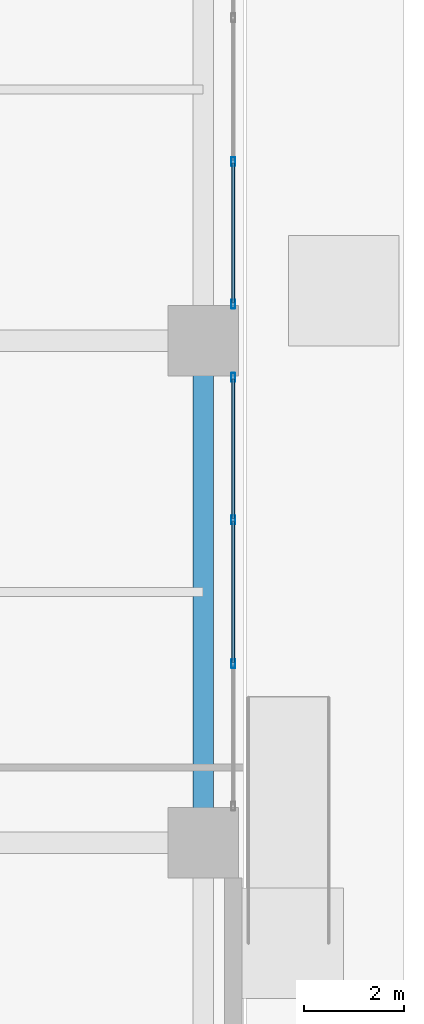
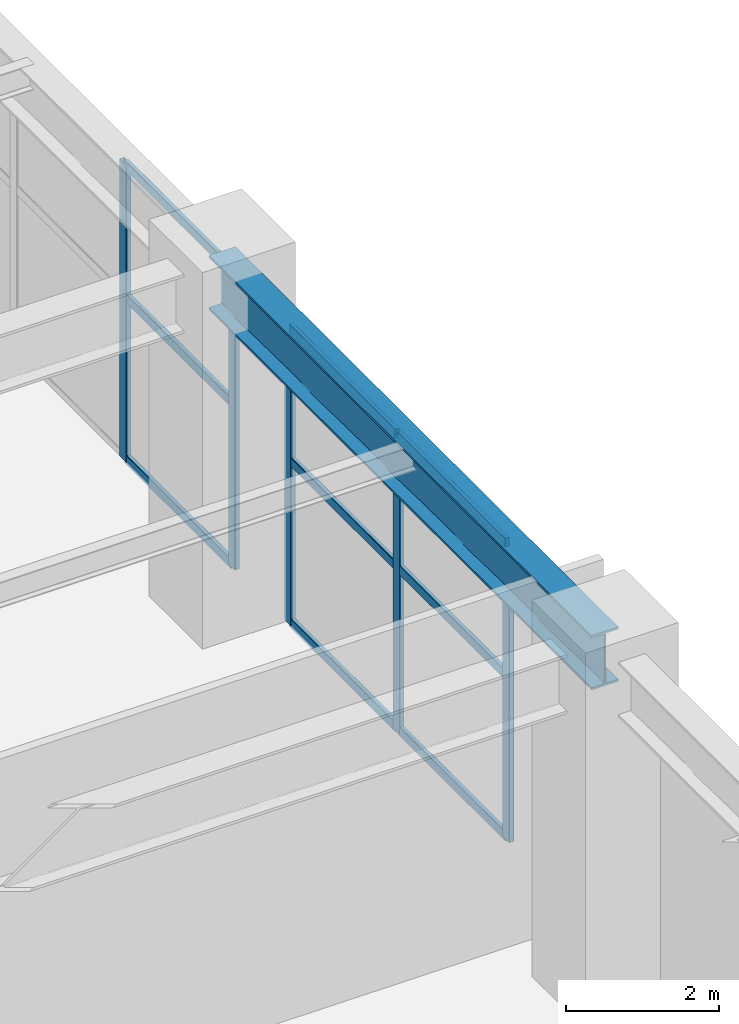
# One storey, part 15 of 31: 14 members, 1 beam, 2 elements without a shape of their own.
"""IFC4 building model written with IfcOpenShell, lengths in metres."""

import ifcopenshell
import ifcopenshell.guid

model = None  # the IFC model being written
_history = None  # IfcOwnerHistory: only IFC2X3 demands one
_inside = {}  # id of a spatial element -> (the spatial element, [elements in it])
_under = {}  # id of a project, library or spatial element -> (it, [spatial elements below it])
_declared = {}  # id of a project -> (the project, [libraries it declares])
_typed = {}  # id of a type object -> (the type object, [elements of that type])
_made_of = {}  # id of a material, layer set ... -> (it, [elements and type objects made of it])


def new_model(schema):
    """Start an empty IFC model of exactly this schema.

    Asked for "IFC4X3", IfcOpenShell would pick the latest addendum, in which some entities
    have other attributes; the version numbers below select the first issue.
    IFC2X3 requires an IfcOwnerHistory on every rooted entity: one is made here for all.
    """
    global model, _history
    if schema == "IFC4X3":
        model = ifcopenshell.file(schema_version=(4, 3, 0, 0))
    else:
        model = ifcopenshell.file(schema=schema)
    _inside.clear()
    _under.clear()
    _declared.clear()
    _typed.clear()
    _made_of.clear()
    _history = None
    if model.schema == "IFC2X3":
        org = make("IfcOrganization", Name="unknown")
        user = make(
            "IfcPersonAndOrganization",
            ThePerson=make("IfcPerson", FamilyName="unknown"),
            TheOrganization=org,
        )
        app = make(
            "IfcApplication",
            ApplicationDeveloper=org,
            Version="unknown",
            ApplicationFullName="unknown",
            ApplicationIdentifier="unknown",
        )
        _history = make(
            "IfcOwnerHistory",
            OwningUser=user,
            OwningApplication=app,
            ChangeAction="ADDED",
            CreationDate=0,
        )
    return model


def make(cls, **values):
    """One entity of the class cls with the attributes given. An attribute that is None is left unset."""
    return model.create_entity(
        cls, **{name: value for name, value in values.items() if value is not None}
    )


def rooted(cls, **values):
    """An entity with a GlobalId (a new one), such as an element, a storey or a relation."""
    return make(cls, GlobalId=ifcopenshell.guid.new(), OwnerHistory=_history, **values)


def si_unit(unit_type, name, prefix=None):
    """IfcSIUnit, for example si_unit("LENGTHUNIT", "METRE", prefix="MILLI")."""
    return make("IfcSIUnit", UnitType=unit_type, Prefix=prefix, Name=name)


def assignment(units):
    """IfcUnitAssignment: the units of a project."""
    return None if units is None else make("IfcUnitAssignment", Units=units)


def point(xyz):
    """IfcCartesianPoint."""
    return None if xyz is None else make("IfcCartesianPoint", Coordinates=xyz)


def direction(xyz):
    """IfcDirection."""
    return None if xyz is None else make("IfcDirection", DirectionRatios=xyz)


def frame(location, z_axis=None, x_axis=None):
    """IfcAxis2Placement3D, a coordinate frame: its origin and axes. An axis left out is left unset."""
    return make(
        "IfcAxis2Placement3D",
        Location=point(location),
        Axis=direction(z_axis),
        RefDirection=direction(x_axis),
    )


def frame_2d(location, x_axis=None):
    """IfcAxis2Placement2D, a coordinate frame in the plane: its origin and x axis."""
    return make(
        "IfcAxis2Placement2D", Location=point(location), RefDirection=direction(x_axis)
    )


def origin():
    """The frame at (0, 0, 0) with its axes left unset."""
    return frame((0.0, 0.0, 0.0))


def origin_2d():
    """The frame at (0, 0) in the plane with its x axis left unset."""
    return frame_2d((0.0, 0.0))


def place(relative_to, where):
    """IfcLocalPlacement: puts the frame where relative to a parent placement (None: the world)."""
    return make(
        "IfcLocalPlacement", PlacementRelTo=relative_to, RelativePlacement=where
    )


def context(
    kind, dimensions, precision=None, world=None, true_north=None, identifier=None
):
    """IfcGeometricRepresentationContext, for example the 3D "Model" context."""
    return make(
        "IfcGeometricRepresentationContext",
        ContextIdentifier=identifier,
        ContextType=kind,
        CoordinateSpaceDimension=dimensions,
        Precision=precision,
        WorldCoordinateSystem=world,
        TrueNorth=true_north,
    )


def subcontext(parent, identifier, kind, view, scale=None):
    """IfcGeometricRepresentationSubContext, for example "Body" below "Model"."""
    return make(
        "IfcGeometricRepresentationSubContext",
        ContextIdentifier=identifier,
        ContextType=kind,
        ParentContext=parent,
        TargetScale=scale,
        TargetView=view,
    )


def project(units=None, contexts=None):
    """IfcProject with its units and contexts."""
    return rooted(
        "IfcProject",
        Name="project",
        RepresentationContexts=contexts,
        UnitsInContext=assignment(units),
    )


def spatial(cls, under=None, at=None, **own):
    """A site, building, storey or space (cls), placed at a placement, below another one or the project."""
    s = rooted(cls, ObjectPlacement=at, **own)
    if under is not None:
        _under.setdefault(under.id(), (under, []))[1].append(s)
    return s


def profile(cls, at=None, kind="AREA", **sizes):
    """A parametric profile (cls). Its sizes go by their IFC names, for example OverallWidth=200.0."""
    return make(cls, ProfileType=kind, Position=at, **sizes)


def hollow_rectangle(**sizes):
    """IfcRectangleHollowProfileDef."""
    return profile("IfcRectangleHollowProfileDef", **sizes)


def i_section(**sizes):
    """IfcIShapeProfileDef."""
    return profile("IfcIShapeProfileDef", **sizes)


def extrude(swept, where, along, depth):
    """IfcExtrudedAreaSolid: the profile swept, set in the frame where, extruded along a direction by depth."""
    return make(
        "IfcExtrudedAreaSolid",
        SweptArea=swept,
        Position=where,
        ExtrudedDirection=direction(along),
        Depth=depth,
    )


def shape(context_of_items, identifier, shape_type, items):
    """IfcShapeRepresentation: the items that make up one representation, for example the "Body"."""
    return make(
        "IfcShapeRepresentation",
        ContextOfItems=context_of_items,
        RepresentationIdentifier=identifier,
        RepresentationType=shape_type,
        Items=items,
    )


def material(Name=None, Category=None):
    """IfcMaterial."""
    return make("IfcMaterial", Name=Name, Category=Category)


def layer(
    of_material, thickness, ventilated=None, Name=None, Category=None, Priority=None
):
    """IfcMaterialLayer: one layer of a wall or slab, of a material (None: an air gap)."""
    return make(
        "IfcMaterialLayer",
        Material=of_material,
        LayerThickness=thickness,
        IsVentilated=ventilated,
        Name=Name,
        Category=Category,
        Priority=Priority,
    )


def layer_set(layers, Name=None):
    """IfcMaterialLayerSet."""
    return make("IfcMaterialLayerSet", MaterialLayers=layers, LayerSetName=Name)


def material_profile(
    of_material, cross_section, Name=None, Category=None, Priority=None
):
    """IfcMaterialProfile: a cross section and its material."""
    return make(
        "IfcMaterialProfile",
        Name=Name,
        Material=of_material,
        Profile=cross_section,
        Priority=Priority,
        Category=Category,
    )


def profile_set(profiles, Name=None, composite=None):
    """IfcMaterialProfileSet."""
    return make(
        "IfcMaterialProfileSet",
        Name=Name,
        MaterialProfiles=profiles,
        CompositeProfile=composite,
    )


def made_of(thing, what):
    """Note that an element or type object is made of a material, layer set ...; save() writes the relation."""
    if what is not None:
        _made_of.setdefault(what.id(), (what, []))[1].append(thing)
    return thing


def type_object(cls, material=None, **own):
    """A type object (cls), such as IfcWallType, which elements share."""
    return made_of(rooted(cls, **own), material)


def element(
    cls,
    number,
    at=None,
    inside=None,
    cuts=None,
    type_object=None,
    material=None,
    context=None,
    identifier="Body",
    shape_type=None,
    held_by="IfcProductDefinitionShape",
    body=None,
    shapes=None,
    **own,
):
    """One element of the class cls, such as IfcWall. Its Tag is "e" and its number.

    at: its placement. inside: the storey or other place that contains it. cuts: it is an
    opening in that element (IfcRelVoidsElement). A single representation is given by context,
    identifier, shape_type and body (its items); several are given by shapes. held_by: the class
    of the entity that holds the representations. save() writes the other relations.
    """
    e = rooted(cls, Tag="e%d" % number, ObjectPlacement=at, **own)
    if body is not None:
        shapes = [shape(context, identifier, shape_type, body)]
    if shapes is not None:
        e.Representation = make(held_by, Representations=shapes)
    if inside is not None:
        _inside.setdefault(inside.id(), (inside, []))[1].append(e)
    if cuts is not None:
        rooted(
            "IfcRelVoidsElement", RelatingBuildingElement=cuts, RelatedOpeningElement=e
        )
    if type_object is not None:
        _typed.setdefault(type_object.id(), (type_object, []))[1].append(e)
    return made_of(e, material)


def aggregate(whole, parts):
    """IfcRelAggregates: a whole, such as a stair, and the parts it consists of."""
    return rooted("IfcRelAggregates", RelatingObject=whole, RelatedObjects=parts)


def save(model, path):
    """Write the relations noted so far, then the file.

    IfcRelAggregates (storeys below a building ...), IfcRelContainedInSpatialStructure (elements
    in a storey), IfcRelDefinesByType, IfcRelAssociatesMaterial and IfcRelDeclares: one each for
    every whole, place, type object, material and project.
    """
    for whole, parts in _under.values():
        aggregate(whole, parts)
    for where, things in _inside.values():
        rooted(
            "IfcRelContainedInSpatialStructure",
            RelatedElements=things,
            RelatingStructure=where,
        )
    for kind, things in _typed.values():
        rooted("IfcRelDefinesByType", RelatedObjects=things, RelatingType=kind)
    for what, things in _made_of.values():
        rooted("IfcRelAssociatesMaterial", RelatedObjects=things, RelatingMaterial=what)
    for by, libraries in _declared.values():
        rooted("IfcRelDeclares", RelatingContext=by, RelatedDefinitions=libraries)
    model.write(path)


model = new_model("IFC4")

# Units and contexts
model_context = context("Model", 3, precision=1e-05, world=origin(), true_north=direction((0.0, 1.0)))
body_context = subcontext(model_context, "Body", "Model", "MODEL_VIEW")
ifc_project = project(units=[si_unit("LENGTHUNIT", "METRE"), si_unit("AREAUNIT", "SQUARE_METRE"), si_unit("VOLUMEUNIT", "CUBIC_METRE"), si_unit("PLANEANGLEUNIT", "RADIAN"), si_unit("MASSUNIT", "GRAM", prefix="KILO")], contexts=[model_context])

# Site, building, storey
site_placement = place(None, origin())
site = spatial("IfcSite", under=ifc_project, at=site_placement, CompositionType="ELEMENT")
building_placement = place(site_placement, origin())
building = spatial("IfcBuilding", under=site, at=building_placement, Name="Soratama Intermodal Tower", CompositionType="ELEMENT")
storey_placement = place(building_placement, origin())
storey = spatial("IfcBuildingStorey", under=building, at=storey_placement, Name="L00", CompositionType="ELEMENT", Elevation=0.0)

# Beam
ifc_material_1 = material(Name="Structural steel ASTM A992 Grade 50", Category="steel")
ifc_material_profile_1 = material_profile(ifc_material_1, i_section(OverallWidth=0.403076171875, OverallDepth=0.867919921875, WebThickness=0.02099609375, FlangeThickness=0.03564453125, FilletRadius=0.01806640625, at=origin_2d()), Name="W33X241")
ifc_profile_set_1 = profile_set([ifc_material_profile_1], Name="Structural steel ASTM A992 Grade 50")
beam_type = type_object("IfcBeamType", Name="BM-POD-EXT-W33", PredefinedType="BEAM", material=ifc_profile_set_1)
beam_placement = place(storey_placement, frame((83.199951171875, 15.0, 5.24609375), z_axis=(0.0, 1.0, 0.0), x_axis=(-1.0, 0.0, 0.0)))
element("IfcBeam", 1, at=beam_placement, inside=storey, type_object=beam_type, Name="L00 Station Girder Y4-2", PredefinedType="BEAM", context=body_context, shape_type="SweptSolid", body=[
    extrude(i_section(OverallWidth=0.403076171875, OverallDepth=0.867919921875, WebThickness=0.02099609375, FlangeThickness=0.03564453125, FilletRadius=0.01806640625, at=origin_2d()), origin(), (0.0, 0.0, 1.0), 10.0),
])

# Curtain wall, members
ifc_material_2 = material(Name="Double-glazed aluminium curtain wall", Category="aluminium")
ifc_layer = layer(ifc_material_2, 0.159912109375)
ifc_layer_set = layer_set([ifc_layer], Name="Double-glazed aluminium curtain wall")
curtain_wall_type = type_object("IfcCurtainWallType", Name="CW-SYS-1", PredefinedType="NOTDEFINED", material=ifc_layer_set)
curtain_wall_1_placement = place(storey_placement, origin())
curtain_wall_1 = element("IfcCurtainWall", 2, at=curtain_wall_1_placement, inside=storey, type_object=curtain_wall_type, Name="L00 Station Curtain Wall E1", PredefinedType="NOTDEFINED")
ifc_material_3 = material(Name="Anodised aluminium AA 6063-T6", Category="aluminium")
ifc_material_profile_2 = material_profile(ifc_material_3, hollow_rectangle(XDim=0.074951171875, YDim=0.179931640625, WallThickness=0.006103515625, InnerFilletRadius=0.006103515625, OuterFilletRadius=0.011962890625, at=origin_2d()), Name="CWM180X75X6")
ifc_profile_set_2 = profile_set([ifc_material_profile_2], Name="Anodised aluminium AA 6063-T6")
member_type_1 = type_object("IfcMemberType", Name="MT-CWM-1", PredefinedType="MULLION", material=ifc_profile_set_2)
member_1_placement = place(storey_placement, frame((83.800048828125, 18.566650390625, 0.0), z_axis=(0.0, 0.0, 1.0), x_axis=(-1.0, 0.0, 0.0)))
member_1 = element("IfcMember", 3, at=member_1_placement, type_object=member_type_1, Name="CW-1 mullion 2", PredefinedType="MULLION", context=body_context, shape_type="SweptSolid", body=[
    extrude(hollow_rectangle(XDim=0.074951171875, YDim=0.179931640625, WallThickness=0.006103515625, InnerFilletRadius=0.006103515625, OuterFilletRadius=0.011962890625, at=origin_2d()), origin(), (0.0, 0.0, 1.0), 4.736083984375),
])
member_2_placement = place(storey_placement, frame((83.800048828125, 21.433349609375, 0.0), z_axis=(0.0, 0.0, 1.0), x_axis=(-1.0, 0.0, 0.0)))
member_2 = element("IfcMember", 4, at=member_2_placement, type_object=member_type_1, Name="CW-1 mullion 3", PredefinedType="MULLION", context=body_context, shape_type="SweptSolid", body=[
    extrude(hollow_rectangle(XDim=0.074951171875, YDim=0.179931640625, WallThickness=0.006103515625, InnerFilletRadius=0.006103515625, OuterFilletRadius=0.011962890625, at=origin_2d()), origin(), (0.0, 0.0, 1.0), 4.736083984375),
])
member_3_placement = place(storey_placement, frame((83.800048828125, 24.27001953125, 0.0), z_axis=(0.0, 0.0, 1.0), x_axis=(-1.0, 0.0, 0.0)))
member_3 = element("IfcMember", 5, at=member_3_placement, type_object=member_type_1, Name="CW-1 mullion 4", PredefinedType="MULLION", context=body_context, shape_type="SweptSolid", body=[
    extrude(hollow_rectangle(XDim=0.074951171875, YDim=0.179931640625, WallThickness=0.006103515625, InnerFilletRadius=0.006103515625, OuterFilletRadius=0.011962890625, at=origin_2d()), origin(), (0.0, 0.0, 1.0), 4.736083984375),
])

curtain_wall_2_placement = place(storey_placement, origin())
curtain_wall_2 = element("IfcCurtainWall", 6, at=curtain_wall_2_placement, inside=storey, type_object=curtain_wall_type, Name="L00 Station Curtain Wall E2", PredefinedType="NOTDEFINED")
member_4_placement = place(storey_placement, frame((83.800048828125, 25.72998046875, 0.0), z_axis=(0.0, 0.0, 1.0), x_axis=(-1.0, 0.0, 0.0)))
member_4 = element("IfcMember", 7, at=member_4_placement, type_object=member_type_1, Name="CW-1 mullion 1", PredefinedType="MULLION", context=body_context, shape_type="SweptSolid", body=[
    extrude(hollow_rectangle(XDim=0.074951171875, YDim=0.179931640625, WallThickness=0.006103515625, InnerFilletRadius=0.006103515625, OuterFilletRadius=0.011962890625, at=origin_2d()), origin(), (0.0, 0.0, 1.0), 4.736083984375),
])
member_5_placement = place(storey_placement, frame((83.800048828125, 28.566650390625, 0.0), z_axis=(0.0, 0.0, 1.0), x_axis=(-1.0, 0.0, 0.0)))
member_5 = element("IfcMember", 8, at=member_5_placement, type_object=member_type_1, Name="CW-1 mullion 2", PredefinedType="MULLION", context=body_context, shape_type="SweptSolid", body=[
    extrude(hollow_rectangle(XDim=0.074951171875, YDim=0.179931640625, WallThickness=0.006103515625, InnerFilletRadius=0.006103515625, OuterFilletRadius=0.011962890625, at=origin_2d()), origin(), (0.0, 0.0, 1.0), 4.736083984375),
])

# Member
ifc_material_4 = material(Name="Anodised aluminium AA 6063-T6", Category="aluminium")
ifc_material_profile_3 = material_profile(ifc_material_4, hollow_rectangle(XDim=0.06494140625, YDim=0.14990234375, WallThickness=0.0048828125, InnerFilletRadius=0.0048828125, OuterFilletRadius=0.010009765625, at=origin_2d()), Name="CWT150X65X5")
ifc_profile_set_3 = profile_set([ifc_material_profile_3], Name="Anodised aluminium AA 6063-T6")
member_type_2 = type_object("IfcMemberType", Name="TT-CWT-1", PredefinedType="USERDEFINED", material=ifc_profile_set_3)
member_6_placement = place(storey_placement, frame((83.800048828125, 18.5966796875, 0.030029296875), z_axis=(0.0, 1.0, 0.0), x_axis=(-1.0, 0.0, 0.0)))
member_6 = element("IfcMember", 9, at=member_6_placement, type_object=member_type_2, Name="CW-1 transom 2.1", ObjectType="TRANSOM", PredefinedType="USERDEFINED", context=body_context, shape_type="SweptSolid", body=[
    extrude(hollow_rectangle(XDim=0.06494140625, YDim=0.14990234375, WallThickness=0.0048828125, InnerFilletRadius=0.0048828125, OuterFilletRadius=0.010009765625, at=origin_2d()), origin(), (0.0, 0.0, 1.0), 2.806640625),
])

member_7_placement = place(storey_placement, frame((83.800048828125, 18.5966796875, 2.60009765625), z_axis=(0.0, 1.0, 0.0), x_axis=(-1.0, 0.0, 0.0)))
member_7 = element("IfcMember", 10, at=member_7_placement, type_object=member_type_2, Name="CW-1 transom 2.2", ObjectType="TRANSOM", PredefinedType="USERDEFINED", context=body_context, shape_type="SweptSolid", body=[
    extrude(hollow_rectangle(XDim=0.06494140625, YDim=0.14990234375, WallThickness=0.0048828125, InnerFilletRadius=0.0048828125, OuterFilletRadius=0.010009765625, at=origin_2d()), origin(), (0.0, 0.0, 1.0), 2.806640625),
])

member_8_placement = place(storey_placement, frame((83.800048828125, 18.5966796875, 4.7060546875), z_axis=(0.0, 1.0, 0.0), x_axis=(-1.0, 0.0, 0.0)))
member_8 = element("IfcMember", 11, at=member_8_placement, type_object=member_type_2, Name="CW-1 transom 2.3", ObjectType="TRANSOM", PredefinedType="USERDEFINED", context=body_context, shape_type="SweptSolid", body=[
    extrude(hollow_rectangle(XDim=0.06494140625, YDim=0.14990234375, WallThickness=0.0048828125, InnerFilletRadius=0.0048828125, OuterFilletRadius=0.010009765625, at=origin_2d()), origin(), (0.0, 0.0, 1.0), 2.806640625),
])

member_9_placement = place(storey_placement, frame((83.800048828125, 21.46337890625, 0.030029296875), z_axis=(0.0, 1.0, 0.0), x_axis=(-1.0, 0.0, 0.0)))
member_9 = element("IfcMember", 12, at=member_9_placement, type_object=member_type_2, Name="CW-1 transom 3.1", ObjectType="TRANSOM", PredefinedType="USERDEFINED", context=body_context, shape_type="SweptSolid", body=[
    extrude(hollow_rectangle(XDim=0.06494140625, YDim=0.14990234375, WallThickness=0.0048828125, InnerFilletRadius=0.0048828125, OuterFilletRadius=0.010009765625, at=origin_2d()), origin(), (0.0, 0.0, 1.0), 2.776611328125),
])

member_10_placement = place(storey_placement, frame((83.800048828125, 21.46337890625, 2.60009765625), z_axis=(0.0, 1.0, 0.0), x_axis=(-1.0, 0.0, 0.0)))
member_10 = element("IfcMember", 13, at=member_10_placement, type_object=member_type_2, Name="CW-1 transom 3.2", ObjectType="TRANSOM", PredefinedType="USERDEFINED", context=body_context, shape_type="SweptSolid", body=[
    extrude(hollow_rectangle(XDim=0.06494140625, YDim=0.14990234375, WallThickness=0.0048828125, InnerFilletRadius=0.0048828125, OuterFilletRadius=0.010009765625, at=origin_2d()), origin(), (0.0, 0.0, 1.0), 2.776611328125),
])

member_11_placement = place(storey_placement, frame((83.800048828125, 21.46337890625, 4.7060546875), z_axis=(0.0, 1.0, 0.0), x_axis=(-1.0, 0.0, 0.0)))
member_11 = element("IfcMember", 14, at=member_11_placement, type_object=member_type_2, Name="CW-1 transom 3.3", ObjectType="TRANSOM", PredefinedType="USERDEFINED", context=body_context, shape_type="SweptSolid", body=[
    extrude(hollow_rectangle(XDim=0.06494140625, YDim=0.14990234375, WallThickness=0.0048828125, InnerFilletRadius=0.0048828125, OuterFilletRadius=0.010009765625, at=origin_2d()), origin(), (0.0, 0.0, 1.0), 2.776611328125),
])

aggregate(curtain_wall_1, [member_1, member_2, member_3, member_6, member_7, member_8, member_9, member_10, member_11])

member_12_placement = place(storey_placement, frame((83.800048828125, 25.760009765625, 0.030029296875), z_axis=(0.0, 1.0, 0.0), x_axis=(-1.0, 0.0, 0.0)))
member_12 = element("IfcMember", 15, at=member_12_placement, type_object=member_type_2, Name="CW-1 transom 1.1", ObjectType="TRANSOM", PredefinedType="USERDEFINED", context=body_context, shape_type="SweptSolid", body=[
    extrude(hollow_rectangle(XDim=0.06494140625, YDim=0.14990234375, WallThickness=0.0048828125, InnerFilletRadius=0.0048828125, OuterFilletRadius=0.010009765625, at=origin_2d()), origin(), (0.0, 0.0, 1.0), 2.776611328125),
])

member_13_placement = place(storey_placement, frame((83.800048828125, 25.760009765625, 2.60009765625), z_axis=(0.0, 1.0, 0.0), x_axis=(-1.0, 0.0, 0.0)))
member_13 = element("IfcMember", 16, at=member_13_placement, type_object=member_type_2, Name="CW-1 transom 1.2", ObjectType="TRANSOM", PredefinedType="USERDEFINED", context=body_context, shape_type="SweptSolid", body=[
    extrude(hollow_rectangle(XDim=0.06494140625, YDim=0.14990234375, WallThickness=0.0048828125, InnerFilletRadius=0.0048828125, OuterFilletRadius=0.010009765625, at=origin_2d()), origin(), (0.0, 0.0, 1.0), 2.776611328125),
])

member_14_placement = place(storey_placement, frame((83.800048828125, 25.760009765625, 4.7060546875), z_axis=(0.0, 1.0, 0.0), x_axis=(-1.0, 0.0, 0.0)))
member_14 = element("IfcMember", 17, at=member_14_placement, type_object=member_type_2, Name="CW-1 transom 1.3", ObjectType="TRANSOM", PredefinedType="USERDEFINED", context=body_context, shape_type="SweptSolid", body=[
    extrude(hollow_rectangle(XDim=0.06494140625, YDim=0.14990234375, WallThickness=0.0048828125, InnerFilletRadius=0.0048828125, OuterFilletRadius=0.010009765625, at=origin_2d()), origin(), (0.0, 0.0, 1.0), 2.776611328125),
])

aggregate(curtain_wall_2, [member_4, member_5, member_12, member_13, member_14])

save(model, "model.ifc")
